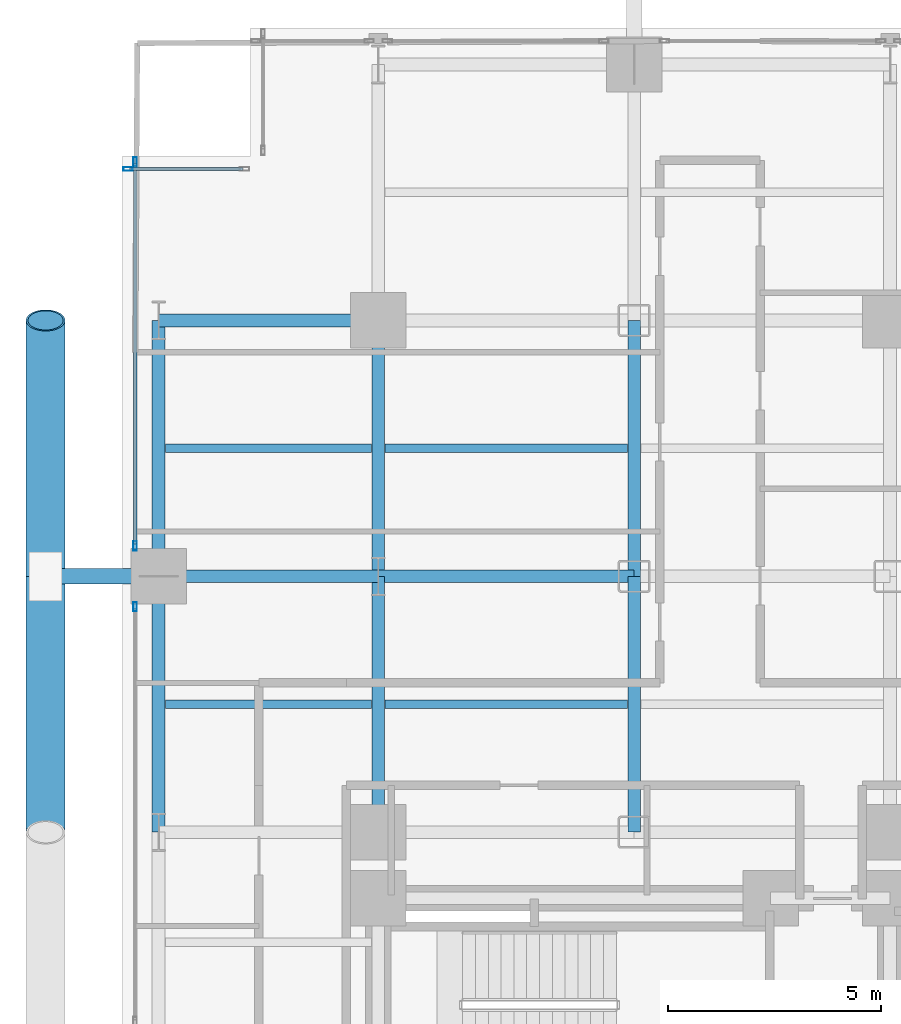
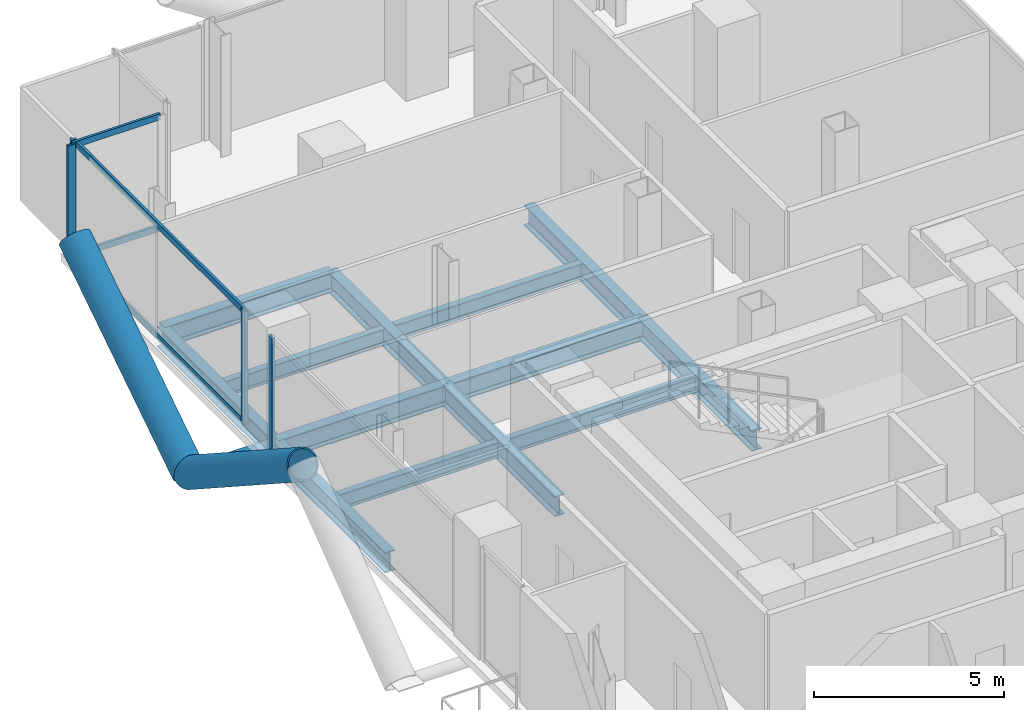
# One storey, part 13 of 25: 13 beams, 11 members, 3 elements without a shape of their own.
"""IFC4 building model written with IfcOpenShell, lengths in metres."""

from ifc_helpers import new_model, si_unit, direction, frame, origin, origin_2d, place, context, subcontext, project, spatial, hollow_rectangle, hollow_circle, i_section, extrude, material, layer, layer_set, material_profile, profile_set, type_object, element, aggregate, save


model = new_model("IFC4")

# Units and contexts
model_context = context("Model", 3, precision=1e-05, world=origin(), true_north=direction((0.0, 1.0)))
body_context = subcontext(model_context, "Body", "Model", "MODEL_VIEW")
ifc_project = project(units=[si_unit("LENGTHUNIT", "METRE"), si_unit("AREAUNIT", "SQUARE_METRE"), si_unit("VOLUMEUNIT", "CUBIC_METRE"), si_unit("PLANEANGLEUNIT", "RADIAN"), si_unit("MASSUNIT", "GRAM", prefix="KILO"), si_unit("THERMODYNAMICTEMPERATUREUNIT", "KELVIN"), si_unit("POWERUNIT", "WATT")], contexts=[model_context])

# Site, building, storey
site_placement = place(None, origin())
site = spatial("IfcSite", under=ifc_project, at=site_placement, CompositionType="ELEMENT")
building_placement = place(site_placement, origin())
building = spatial("IfcBuilding", under=site, at=building_placement, Name="Svarakhadi Broadcast Tower", CompositionType="ELEMENT")
storey_placement = place(building_placement, frame((0.0, 0.0, 51.89990234375)))
storey = spatial("IfcBuildingStorey", under=building, at=storey_placement, Name="L11", CompositionType="ELEMENT", Elevation=51.89990234375)

# Beams
ifc_material_1 = material(Name="Steel S355J2 (IS 2062 E350C)", Category="steel")
ifc_material_profile_1 = material_profile(ifc_material_1, i_section(OverallWidth=0.199951171875, OverallDepth=0.5, WebThickness=0.01025390625, FlangeThickness=0.01611328125, FilletRadius=0.02099609375, at=origin_2d()), Name="NPB 500x200x91")
ifc_profile_set_1 = profile_set([ifc_material_profile_1], Name="Steel S355J2 (IS 2062 E350C)")
beam_type_1 = type_object("IfcBeamType", Name="Beam_NPB500", PredefinedType="BEAM", material=ifc_profile_set_1)
for number, where, z_axis, x_axis, name in (
    (1, (1.010009765625, 32.14990234375, -0.5), (1.0, 0.0, 0.0), (0.0, 1.0, 0.0), "L11 Secondary Composite Beam SB005"),
    (2, (1.010009765625, 38.14990234375, -0.5), (1.0, 0.0, 0.0), (0.0, 1.0, 0.0), "L11 Secondary Composite Beam SB006"),
):
    element("IfcBeam", number, at=place(storey_placement, frame(where, z_axis=z_axis, x_axis=x_axis)), inside=storey, type_object=beam_type_1, Name=name, PredefinedType="BEAM", context=body_context, shape_type="SweptSolid", body=[
        extrude(i_section(OverallWidth=0.199951171875, OverallDepth=0.5, WebThickness=0.01025390625, FlangeThickness=0.01611328125, FilletRadius=0.02099609375, at=origin_2d()), origin(), (0.0, 0.0, 1.0), 4.830078125),
    ])
for number, where, z_axis, x_axis, name in (
    (3, (6.159912109375, 32.14990234375, -0.5), (1.0, 0.0, 0.0), (0.0, 1.0, 0.0), "L11 Secondary Composite Beam SB010"),
    (4, (6.159912109375, 38.14990234375, -0.5), (1.0, 0.0, 0.0), (0.0, 1.0, 0.0), "L11 Secondary Composite Beam SB011"),
):
    element("IfcBeam", number, at=place(storey_placement, frame(where, z_axis=z_axis, x_axis=x_axis)), inside=storey, type_object=beam_type_1, Name=name, PredefinedType="BEAM", context=body_context, shape_type="SweptSolid", body=[
        extrude(i_section(OverallWidth=0.199951171875, OverallDepth=0.5, WebThickness=0.01025390625, FlangeThickness=0.01611328125, FilletRadius=0.02099609375, at=origin_2d()), origin(), (0.0, 0.0, 1.0), 5.68017578125),
    ])

# Curtain wall, member
ifc_material_2 = material(Name="Anodised Bronze Aluminium AA 6063-T6", Category="aluminium")
ifc_layer = layer(ifc_material_2, 0.219970703125)
ifc_layer_set = layer_set([ifc_layer], Name="Anodised Bronze Aluminium AA 6063-T6")
curtain_wall_type = type_object("IfcCurtainWallType", Name="CW_Sys_02", PredefinedType="NOTDEFINED", material=ifc_layer_set)
curtain_wall_1_placement = place(storey_placement, origin())
curtain_wall_1 = element("IfcCurtainWall", 5, at=curtain_wall_1_placement, inside=storey, type_object=curtain_wall_type, Name="L11 West Curtain Wall 03 Bay 2", PredefinedType="NOTDEFINED")
ifc_material_profile_2 = material_profile(ifc_material_2, hollow_rectangle(XDim=0.0849609375, YDim=0.219970703125, WallThickness=0.006103515625, at=origin_2d()), Name="ALU MULLION 220x85x6")
ifc_profile_set_2 = profile_set([ifc_material_profile_2], Name="Anodised Bronze Aluminium AA 6063-T6")
member_type_1 = type_object("IfcMemberType", Name="CW_Sys_02_Mul", PredefinedType="MULLION", material=ifc_profile_set_2)
member_1_placement = place(storey_placement, frame((0.300048828125, 34.4375, 0.0), z_axis=(0.0, 0.0, 1.0), x_axis=(-1.0, 0.0, 0.0)))
member_1 = element("IfcMember", 6, at=member_1_placement, type_object=member_type_1, Name="CW-02 mullion 2", PredefinedType="MULLION", context=body_context, shape_type="SweptSolid", body=[
    extrude(hollow_rectangle(XDim=0.0849609375, YDim=0.219970703125, WallThickness=0.006103515625, at=origin_2d()), origin(), (0.0, 0.0, 1.0), 3.650146484375),
])
aggregate(curtain_wall_1, [member_1])

# Curtain wall, members
curtain_wall_2_placement = place(storey_placement, origin())
curtain_wall_2 = element("IfcCurtainWall", 7, at=curtain_wall_2_placement, inside=storey, type_object=curtain_wall_type, Name="L11 West Curtain Wall 03 Bay 3", PredefinedType="NOTDEFINED")
member_2_placement = place(storey_placement, frame((0.300048828125, 35.862548828125, 0.0), z_axis=(0.0, 0.0, 1.0), x_axis=(-1.0, 0.0, 0.0)))
member_2 = element("IfcMember", 8, at=member_2_placement, type_object=member_type_1, Name="CW-02 mullion 1", PredefinedType="MULLION", context=body_context, shape_type="SweptSolid", body=[
    extrude(hollow_rectangle(XDim=0.0849609375, YDim=0.219970703125, WallThickness=0.006103515625, at=origin_2d()), origin(), (0.0, 0.0, 1.0), 3.650146484375),
])
member_3_placement = place(storey_placement, frame((0.300048828125, 44.867431640625, 0.0), z_axis=(0.0, 0.0, 1.0), x_axis=(-1.0, 0.0, 0.0)))
member_3 = element("IfcMember", 9, at=member_3_placement, type_object=member_type_1, Name="CW-02 mullion 2", PredefinedType="MULLION", context=body_context, shape_type="SweptSolid", body=[
    extrude(hollow_rectangle(XDim=0.0849609375, YDim=0.219970703125, WallThickness=0.006103515625, at=origin_2d()), origin(), (0.0, 0.0, 1.0), 3.650146484375),
])

# Curtain wall, member
curtain_wall_3_placement = place(storey_placement, origin())
curtain_wall_3 = element("IfcCurtainWall", 10, at=curtain_wall_3_placement, inside=storey, type_object=curtain_wall_type, Name="L11 Unitised Facade Curtain Wall 04", PredefinedType="NOTDEFINED")
member_4_placement = place(storey_placement, frame((0.132568359375, 44.699951171875, 0.0), z_axis=(0.0, 0.0, 1.0), x_axis=(0.0, 1.0, 0.0)))
member_4 = element("IfcMember", 11, at=member_4_placement, type_object=member_type_1, Name="CW-02 mullion 1", PredefinedType="MULLION", context=body_context, shape_type="SweptSolid", body=[
    extrude(hollow_rectangle(XDim=0.0849609375, YDim=0.219970703125, WallThickness=0.006103515625, at=origin_2d()), origin(), (0.0, 0.0, 1.0), 3.650146484375),
])

# Member
ifc_material_profile_3 = material_profile(ifc_material_2, hollow_rectangle(XDim=0.074951171875, YDim=0.199951171875, WallThickness=0.0048828125, at=origin_2d()), Name="ALU TRANSOM 200x75x5")
ifc_profile_set_3 = profile_set([ifc_material_profile_3], Name="Anodised Bronze Aluminium AA 6063-T6")
member_type_2 = type_object("IfcMemberType", Name="CW_Sys_02_Trn", PredefinedType="USERDEFINED", material=ifc_profile_set_3)
member_5_placement = place(storey_placement, frame((0.300048828125, 35.905029296875, 0.03759765625), z_axis=(0.0, 1.0, 0.0), x_axis=(-1.0, 0.0, 0.0)))
member_5 = element("IfcMember", 12, at=member_5_placement, type_object=member_type_2, Name="CW-02 transom 1.1", ObjectType="TRANSOM", PredefinedType="USERDEFINED", context=body_context, shape_type="SweptSolid", body=[
    extrude(hollow_rectangle(XDim=0.074951171875, YDim=0.199951171875, WallThickness=0.0048828125, at=origin_2d()), origin(), (0.0, 0.0, 1.0), 8.919921875),
])

member_6_placement = place(storey_placement, frame((0.300048828125, 35.905029296875, 3.612548828125), z_axis=(0.0, 1.0, 0.0), x_axis=(-1.0, 0.0, 0.0)))
member_6 = element("IfcMember", 13, at=member_6_placement, type_object=member_type_2, Name="CW-02 transom 1.2", ObjectType="TRANSOM", PredefinedType="USERDEFINED", context=body_context, shape_type="SweptSolid", body=[
    extrude(hollow_rectangle(XDim=0.074951171875, YDim=0.199951171875, WallThickness=0.0048828125, at=origin_2d()), origin(), (0.0, 0.0, 1.0), 8.919921875),
])

aggregate(curtain_wall_2, [member_2, member_3, member_5, member_6])

member_7_placement = place(storey_placement, frame((0.175048828125, 44.699951171875, 0.03759765625), z_axis=(1.0, 0.0, 0.0), x_axis=(0.0, 1.0, 0.0)))
member_7 = element("IfcMember", 14, at=member_7_placement, type_object=member_type_2, Name="CW-02 transom 1.1", ObjectType="TRANSOM", PredefinedType="USERDEFINED", context=body_context, shape_type="SweptSolid", body=[
    extrude(hollow_rectangle(XDim=0.074951171875, YDim=0.199951171875, WallThickness=0.0048828125, at=origin_2d()), origin(), (0.0, 0.0, 1.0), 2.64990234375),
])

member_8_placement = place(storey_placement, frame((0.175048828125, 44.699951171875, 3.612548828125), z_axis=(1.0, 0.0, 0.0), x_axis=(0.0, 1.0, 0.0)))
member_8 = element("IfcMember", 15, at=member_8_placement, type_object=member_type_2, Name="CW-02 transom 1.2", ObjectType="TRANSOM", PredefinedType="USERDEFINED", context=body_context, shape_type="SweptSolid", body=[
    extrude(hollow_rectangle(XDim=0.074951171875, YDim=0.199951171875, WallThickness=0.0048828125, at=origin_2d()), origin(), (0.0, 0.0, 1.0), 2.64990234375),
])

aggregate(curtain_wall_3, [member_4, member_7, member_8])

# Members
ifc_material_3 = material(Name="Steel S460ML (IS 2062 E450BR)", Category="steel")
ifc_material_profile_4 = material_profile(ifc_material_3, hollow_circle(Radius=0.45703125, WallThickness=0.044921875, at=origin_2d()), Name="CHS 914x45")
ifc_profile_set_4 = profile_set([ifc_material_profile_4], Name="Steel S460ML (IS 2062 E450BR)")
member_type_3 = type_object("IfcMemberType", Name="Exo_Brace_CHS914", PredefinedType="BRACE", material=ifc_profile_set_4)
for number, where, z_axis, x_axis, name in (
    (16, (-1.800048828125, 35.14990234375, -0.427734375), (0.0, -0.838434262763, 0.545002740383), (1.0, 0.0, 0.0), "L11 Exposed Bronze Exoskeleton Diagonal W06"),
    (17, (-1.800048828125, 35.14990234375, -0.427734375), (0.0, 0.838434262763, 0.545002740383), (-1.0, 0.0, 0.0), "L11 Exposed Bronze Exoskeleton Diagonal W07"),
):
    element("IfcMember", number, at=place(storey_placement, frame(where, z_axis=z_axis, x_axis=x_axis)), inside=storey, type_object=member_type_3, Name=name, PredefinedType="BRACE", context=body_context, shape_type="SweptSolid", body=[
        extrude(hollow_circle(Radius=0.45703125, WallThickness=0.044921875, at=origin_2d()), origin(), (0.0, 0.0, 1.0), 7.15625),
    ])
ifc_material_profile_5 = material_profile(ifc_material_3, hollow_circle(Radius=0.177734375, WallThickness=0.02001953125, at=origin_2d()), Name="CHS 355.6x20")
ifc_profile_set_5 = profile_set([ifc_material_profile_5], Name="Steel S460ML (IS 2062 E450BR)")
member_type_4 = type_object("IfcMemberType", Name="Exo_Radial_Strut_Z1", PredefinedType="STRUT", material=ifc_profile_set_5)
member_9_placement = place(storey_placement, frame((-1.800048828125, 35.14990234375, -0.427734375), z_axis=(1.0, 0.0, 0.0), x_axis=(0.0, 1.0, 0.0)))
element("IfcMember", 18, at=member_9_placement, inside=storey, type_object=member_type_4, Name="L11 Exoskeleton Radial Tie Strut W05", PredefinedType="STRUT", context=body_context, shape_type="SweptSolid", body=[
    extrude(hollow_circle(Radius=0.177734375, WallThickness=0.02001953125, at=origin_2d()), origin(), (0.0, 0.0, 1.0), 2.650146484375),
])

# Beams
ifc_material_profile_6 = material_profile(ifc_material_1, i_section(OverallWidth=0.300048828125, OverallDepth=0.64990234375, WebThickness=0.01611328125, FlangeThickness=0.031005859375, FilletRadius=0.027099609375, at=origin_2d()), Name="WPB 650x300x225")
ifc_profile_set_6 = profile_set([ifc_material_profile_6], Name="Steel S355J2 (IS 2062 E350C)")
beam_type_2 = type_object("IfcBeamType", Name="Girder_WPB650", PredefinedType="USERDEFINED", material=ifc_profile_set_6)
beam_1_placement = place(storey_placement, frame((0.85009765625, 35.14990234375, -0.574951171875), z_axis=(1.0, 0.0, 0.0), x_axis=(0.0, 1.0, 0.0)))
element("IfcBeam", 19, at=beam_1_placement, inside=storey, type_object=beam_type_2, Name="L11 Primary E-W Girder G037", ObjectType="GIRDER", PredefinedType="USERDEFINED", context=body_context, shape_type="SweptSolid", body=[
    extrude(i_section(OverallWidth=0.300048828125, OverallDepth=0.64990234375, WebThickness=0.01611328125, FlangeThickness=0.031005859375, FilletRadius=0.027099609375, at=origin_2d()), origin(), (0.0, 0.0, 1.0), 5.14990234375),
])
beam_2_placement = place(storey_placement, frame((6.0, 35.14990234375, -0.574951171875), z_axis=(1.0, 0.0, 0.0), x_axis=(0.0, 1.0, 0.0)))
element("IfcBeam", 20, at=beam_2_placement, inside=storey, type_object=beam_type_2, Name="L11 Primary E-W Girder G038", ObjectType="GIRDER", PredefinedType="USERDEFINED", context=body_context, shape_type="SweptSolid", body=[
    extrude(i_section(OverallWidth=0.300048828125, OverallDepth=0.64990234375, WebThickness=0.01611328125, FlangeThickness=0.031005859375, FilletRadius=0.027099609375, at=origin_2d()), origin(), (0.0, 0.0, 1.0), 6.0),
])
beam_3_placement = place(storey_placement, frame((0.85009765625, 41.14990234375, -0.574951171875), z_axis=(1.0, 0.0, 0.0), x_axis=(0.0, 1.0, 0.0)))
element("IfcBeam", 21, at=beam_3_placement, inside=storey, type_object=beam_type_2, Name="L11 Primary E-W Girder G040", ObjectType="GIRDER", PredefinedType="USERDEFINED", context=body_context, shape_type="SweptSolid", body=[
    extrude(i_section(OverallWidth=0.300048828125, OverallDepth=0.64990234375, WebThickness=0.01611328125, FlangeThickness=0.031005859375, FilletRadius=0.027099609375, at=origin_2d()), origin(), (0.0, 0.0, 1.0), 5.14990234375),
])
for number, where, z_axis, x_axis, name in (
    (22, (0.85009765625, 29.14990234375, -0.574951171875), (0.0, 1.0, 0.0), (-1.0, 0.0, 0.0), "L11 Primary N-S Girder G049"),
    (23, (0.85009765625, 35.14990234375, -0.574951171875), (0.0, 1.0, 0.0), (-1.0, 0.0, 0.0), "L11 Primary N-S Girder G050"),
    (24, (6.0, 29.14990234375, -0.574951171875), (0.0, 1.0, 0.0), (-1.0, 0.0, 0.0), "L11 Primary N-S Girder G055"),
    (25, (6.0, 35.14990234375, -0.574951171875), (0.0, 1.0, 0.0), (-1.0, 0.0, 0.0), "L11 Primary N-S Girder G056"),
    (26, (12.0, 29.14990234375, -0.574951171875), (0.0, 1.0, 0.0), (-1.0, 0.0, 0.0), "L11 Primary N-S Girder G061"),
    (27, (12.0, 35.14990234375, -0.574951171875), (0.0, 1.0, 0.0), (-1.0, 0.0, 0.0), "L11 Primary N-S Girder G062"),
):
    element("IfcBeam", number, at=place(storey_placement, frame(where, z_axis=z_axis, x_axis=x_axis)), inside=storey, type_object=beam_type_2, Name=name, ObjectType="GIRDER", PredefinedType="USERDEFINED", context=body_context, shape_type="SweptSolid", body=[
        extrude(i_section(OverallWidth=0.300048828125, OverallDepth=0.64990234375, WebThickness=0.01611328125, FlangeThickness=0.031005859375, FilletRadius=0.027099609375, at=origin_2d()), origin(), (0.0, 0.0, 1.0), 6.0),
    ])

save(model, "model.ifc")
